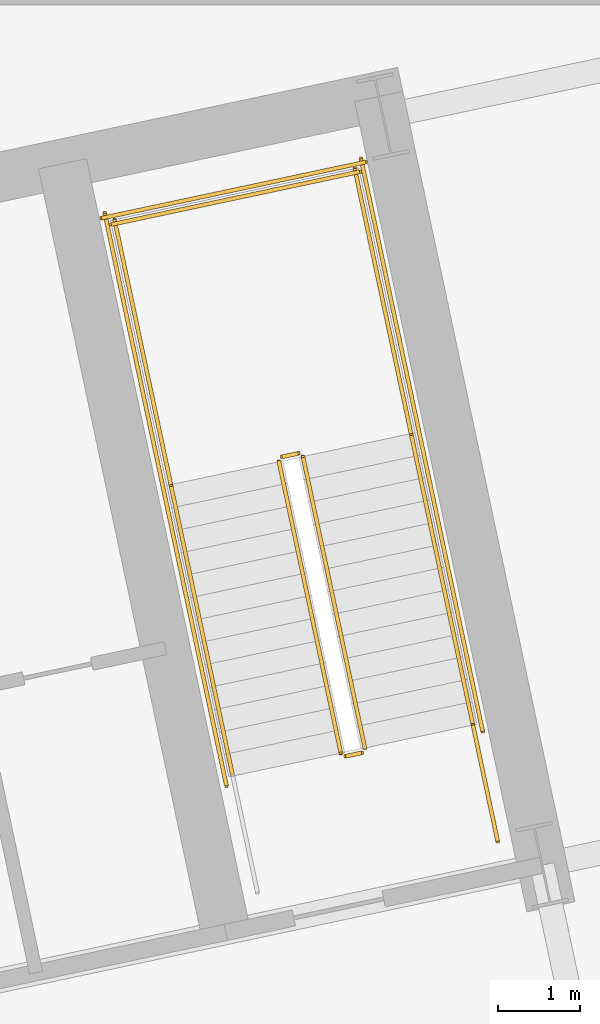
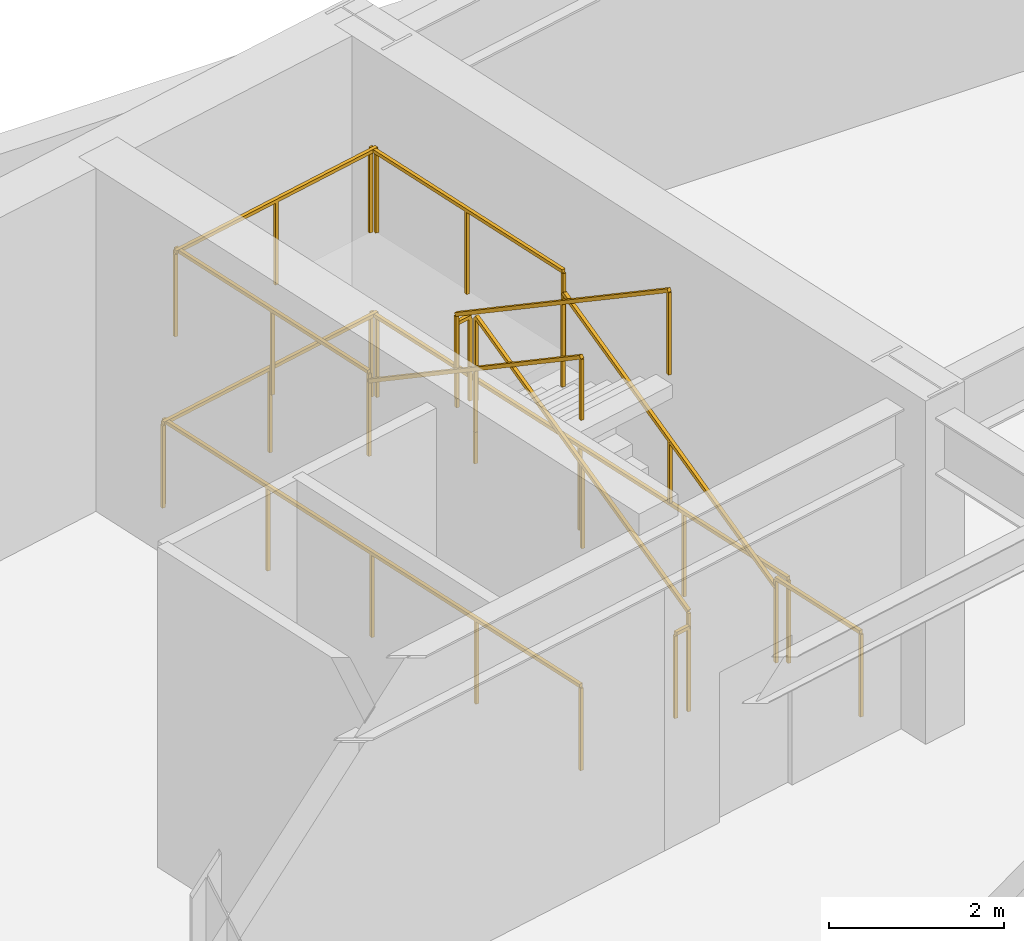
# One storey, part 25 of 25: 13 railings.
"""IFC4 building model written with IfcOpenShell, lengths in metres."""

from ifc_helpers import new_model, si_unit, direction, frame, origin, origin_2d, place, context, subcontext, project, spatial, rectangle, extrude, material, type_object, element, save


model = new_model("IFC4")

# Units and contexts
model_context = context("Model", 3, precision=1e-05, world=origin(), true_north=direction((0.0, 1.0)))
body_context = subcontext(model_context, "Body", "Model", "MODEL_VIEW")
ifc_project = project(units=[si_unit("LENGTHUNIT", "METRE"), si_unit("AREAUNIT", "SQUARE_METRE"), si_unit("VOLUMEUNIT", "CUBIC_METRE"), si_unit("PLANEANGLEUNIT", "RADIAN"), si_unit("MASSUNIT", "GRAM", prefix="KILO")], contexts=[model_context])

# Site, building, storey
site_placement = place(None, origin())
site = spatial("IfcSite", under=ifc_project, at=site_placement, CompositionType="ELEMENT")
building_placement = place(site_placement, origin())
building = spatial("IfcBuilding", under=site, at=building_placement, Name="Haevon Station Towers", CompositionType="ELEMENT")
storey_placement = place(building_placement, frame((0.0, 0.0, 6.0)))
storey = spatial("IfcBuildingStorey", under=building, at=storey_placement, Name="L01", CompositionType="ELEMENT", Elevation=6.0)

# Railings
ifc_material = material(Name="Steel S355", Category="steel")
railing_type_1 = type_object("IfcRailingType", Name="GRD-STR1200", PredefinedType="GUARDRAIL", material=ifc_material)
railing_1_placement = place(storey_placement, frame((117.128662109375, 43.23974609375, 0.17138671875)))
element("IfcRailing", 1, at=railing_1_placement, inside=storey, type_object=railing_type_1, Name="L01 ST4 Stair Guard 1", PredefinedType="GUARDRAIL", context=body_context, shape_type="SweptSolid", body=[
    extrude(rectangle(XDim=0.048095703125, YDim=0.048095703125, at=origin_2d()), frame((0.0, 0.0, 1.17578125), z_axis=(-0.177324344861, 0.834225240467, 0.522134393512), x_axis=(-0.978146576304, -0.207916510322, 0.0)), (0.0, 0.0, 1.0), 4.26806640625),
    extrude(rectangle(XDim=0.0419921875, YDim=0.0419921875, at=origin_2d()), origin(), (0.0, 0.0, 1.0), 1.15185546875),
    extrude(rectangle(XDim=0.0419921875, YDim=0.0419921875, at=origin_2d()), frame((-0.37841796875, 1.7802734375, 1.1142578125)), (0.0, 0.0, 1.0), 1.15185546875),
    extrude(rectangle(XDim=0.0419921875, YDim=0.0419921875, at=origin_2d()), frame((-0.7568359375, 3.560546875, 2.228515625)), (0.0, 0.0, 1.0), 1.15185546875),
])
railing_2_placement = place(storey_placement, frame((116.3125, 46.838623046875, 2.39990234375)))
element("IfcRailing", 2, at=railing_2_placement, inside=storey, type_object=railing_type_1, Name="L01 ST4 Stair Guard 2", PredefinedType="GUARDRAIL", context=body_context, shape_type="SweptSolid", body=[
    extrude(rectangle(XDim=0.048095703125, YDim=0.048095703125, at=origin_2d()), frame((0.0, 0.0, 1.17578125), z_axis=(-0.978211583308, -0.207610448392, 0.0), x_axis=(0.207610448392, -0.978211583308, 0.0)), (0.0, 0.0, 1.0), 0.199951171875),
    extrude(rectangle(XDim=0.0419921875, YDim=0.0419921875, at=origin_2d()), origin(), (0.0, 0.0, 1.0), 1.15185546875),
    extrude(rectangle(XDim=0.0419921875, YDim=0.0419921875, at=origin_2d()), frame((-0.195556640625, -0.04150390625, 0.0)), (0.0, 0.0, 1.0), 1.15185546875),
])
for number, where, name in (
    (3, (117.6923828125, 47.080810546875, 2.39990234375), "L01 ST4 Stair Guard 3"),
    (4, (114.7578125, 46.45703125, 2.39990234375), "L01 ST4 Stair Guard 4"),
):
    element("IfcRailing", number, at=place(storey_placement, frame(where)), inside=storey, type_object=railing_type_1, Name=name, PredefinedType="GUARDRAIL", context=body_context, shape_type="SweptSolid", body=[
        extrude(rectangle(XDim=0.048095703125, YDim=0.048095703125, at=origin_2d()), frame((0.0, 0.0, 1.17578125), z_axis=(-0.207916974835, 0.978146477566, 0.0), x_axis=(-0.978146477566, -0.207916974835, 0.0)), (0.0, 0.0, 1.0), 3.31005859375),
        extrude(rectangle(XDim=0.0419921875, YDim=0.0419921875, at=origin_2d()), origin(), (0.0, 0.0, 1.0), 1.15185546875),
        extrude(rectangle(XDim=0.0419921875, YDim=0.0419921875, at=origin_2d()), frame((-0.34423828125, 1.618896484375, 0.0)), (0.0, 0.0, 1.0), 1.15185546875),
        extrude(rectangle(XDim=0.0419921875, YDim=0.0419921875, at=origin_2d()), frame((-0.688232421875, 3.23779296875, 0.0)), (0.0, 0.0, 1.0), 1.15185546875),
    ])
railing_3_placement = place(storey_placement, frame((117.0634765625, 50.280029296875, 2.39990234375)))
element("IfcRailing", 5, at=railing_3_placement, inside=storey, type_object=railing_type_1, Name="L01 ST4 Stair Guard 5", PredefinedType="GUARDRAIL", context=body_context, shape_type="SweptSolid", body=[
    extrude(rectangle(XDim=0.048095703125, YDim=0.048095703125, at=origin_2d()), frame((0.0, 0.0, 1.17578125), z_axis=(-0.978146839882, -0.207915270313, 0.0), x_axis=(0.207915270313, -0.978146839882, 0.0)), (0.0, 0.0, 1.0), 3.099853515625),
    extrude(rectangle(XDim=0.0419921875, YDim=0.0419921875, at=origin_2d()), origin(), (0.0, 0.0, 1.0), 1.15185546875),
    extrude(rectangle(XDim=0.0419921875, YDim=0.0419921875, at=origin_2d()), frame((-1.51611328125, -0.322265625, 0.0)), (0.0, 0.0, 1.0), 1.15185546875),
    extrude(rectangle(XDim=0.0419921875, YDim=0.0419921875, at=origin_2d()), frame((-3.0322265625, -0.64453125, 0.0)), (0.0, 0.0, 1.0), 1.15185546875),
])
railing_4_placement = place(storey_placement, frame((116.078369140625, 46.73779296875, 2.571533203125)))
element("IfcRailing", 6, at=railing_4_placement, inside=storey, type_object=railing_type_1, Name="L01 ST4 Stair Guard 6", PredefinedType="GUARDRAIL", context=body_context, shape_type="SweptSolid", body=[
    extrude(rectangle(XDim=0.048095703125, YDim=0.048095703125, at=origin_2d()), frame((0.0, 0.0, 1.17578125), z_axis=(0.177324344861, -0.834225240467, 0.522134393512), x_axis=(0.978146576304, 0.207916510322, 0.0)), (0.0, 0.0, 1.0), 4.26806640625),
    extrude(rectangle(XDim=0.0419921875, YDim=0.0419921875, at=origin_2d()), origin(), (0.0, 0.0, 1.0), 1.15185546875),
    extrude(rectangle(XDim=0.0419921875, YDim=0.0419921875, at=origin_2d()), frame((0.37841796875, -1.7802734375, 1.1142578125)), (0.0, 0.0, 1.0), 1.15185546875),
    extrude(rectangle(XDim=0.0419921875, YDim=0.0419921875, at=origin_2d()), frame((0.7568359375, -3.560546875, 2.228515625)), (0.0, 0.0, 1.0), 1.15185546875),
])
railing_5_placement = place(storey_placement, frame((117.090087890625, 43.180419921875, 0.0)))
element("IfcRailing", 7, at=railing_5_placement, inside=storey, type_object=railing_type_1, Name="L01 ST4 Stair Guard 7", PredefinedType="GUARDRAIL", context=body_context, shape_type="SweptSolid", body=[
    extrude(rectangle(XDim=0.048095703125, YDim=0.048095703125, at=origin_2d()), frame((0.0, 0.0, 1.17578125), z_axis=(-0.978211583308, -0.207610448392, 0.0), x_axis=(0.207610448392, -0.978211583308, 0.0)), (0.0, 0.0, 1.0), 0.199951171875),
    extrude(rectangle(XDim=0.0419921875, YDim=0.0419921875, at=origin_2d()), origin(), (0.0, 0.0, 1.0), 1.15185546875),
    extrude(rectangle(XDim=0.0419921875, YDim=0.0419921875, at=origin_2d()), frame((-0.195556640625, -0.04150390625, 0.0)), (0.0, 0.0, 1.0), 1.15185546875),
])
railing_6_placement = place(storey_placement, frame((118.75048828125, 42.10205078125, 0.0)))
element("IfcRailing", 8, at=railing_6_placement, inside=storey, type_object=railing_type_1, Name="L01 ST4 Stair Guard 8", PredefinedType="GUARDRAIL", context=body_context, shape_type="SweptSolid", body=[
    extrude(rectangle(XDim=0.048095703125, YDim=0.048095703125, at=origin_2d()), frame((0.0, 0.0, 1.17578125), z_axis=(-0.207919161079, 0.978146012851, 0.0), x_axis=(-0.978146012851, -0.207919161079, 0.0)), (0.0, 0.0, 1.0), 1.4501953125),
    extrude(rectangle(XDim=0.0419921875, YDim=0.0419921875, at=origin_2d()), origin(), (0.0, 0.0, 1.0), 1.15185546875),
    extrude(rectangle(XDim=0.0419921875, YDim=0.0419921875, at=origin_2d()), frame((-0.301513671875, 1.41845703125, 0.0)), (0.0, 0.0, 1.0), 1.15185546875),
])
railing_7_placement = place(storey_placement, frame((118.567626953125, 43.443359375, 0.0)))
element("IfcRailing", 9, at=railing_7_placement, inside=storey, type_object=railing_type_1, Name="L01 ST4 Stair Guard 10", PredefinedType="GUARDRAIL", context=body_context, shape_type="SweptSolid", body=[
    extrude(rectangle(XDim=0.048095703125, YDim=0.048095703125, at=origin_2d()), frame((0.0, 0.0, 1.17578125), z_axis=(-0.207908168386, 0.978148349443, 0.0), x_axis=(-0.978148349443, -0.207908168386, 0.0)), (0.0, 0.0, 1.0), 7.150146484375),
    extrude(rectangle(XDim=0.0419921875, YDim=0.0419921875, at=origin_2d()), origin(), (0.0, 0.0, 1.0), 1.15185546875),
    extrude(rectangle(XDim=0.0419921875, YDim=0.0419921875, at=origin_2d()), frame((-0.37158203125, 1.74853515625, 0.0)), (0.0, 0.0, 1.0), 1.15185546875),
    extrude(rectangle(XDim=0.0419921875, YDim=0.0419921875, at=origin_2d()), frame((-0.7431640625, 3.4970703125, 0.0)), (0.0, 0.0, 1.0), 1.15185546875),
    extrude(rectangle(XDim=0.0419921875, YDim=0.0419921875, at=origin_2d()), frame((-1.114990234375, 5.245361328125, 0.0)), (0.0, 0.0, 1.0), 1.15185546875),
    extrude(rectangle(XDim=0.0419921875, YDim=0.0419921875, at=origin_2d()), frame((-1.486572265625, 6.993896484375, 0.0)), (0.0, 0.0, 1.0), 1.15185546875),
])
railing_8_placement = place(storey_placement, frame((115.4375, 42.778076171875, 0.0)))
element("IfcRailing", 10, at=railing_8_placement, inside=storey, type_object=railing_type_1, Name="L01 ST4 Stair Guard 11", PredefinedType="GUARDRAIL", context=body_context, shape_type="SweptSolid", body=[
    extrude(rectangle(XDim=0.048095703125, YDim=0.048095703125, at=origin_2d()), frame((0.0, 0.0, 1.17578125), z_axis=(-0.207882442208, 0.978153817261, 0.0), x_axis=(-0.978153817261, -0.207882442208, 0.0)), (0.0, 0.0, 1.0), 7.14990234375),
    extrude(rectangle(XDim=0.0419921875, YDim=0.0419921875, at=origin_2d()), origin(), (0.0, 0.0, 1.0), 1.15185546875),
    extrude(rectangle(XDim=0.0419921875, YDim=0.0419921875, at=origin_2d()), frame((-0.37158203125, 1.74853515625, 0.0)), (0.0, 0.0, 1.0), 1.15185546875),
    extrude(rectangle(XDim=0.0419921875, YDim=0.0419921875, at=origin_2d()), frame((-0.7431640625, 3.496826171875, 0.0)), (0.0, 0.0, 1.0), 1.15185546875),
    extrude(rectangle(XDim=0.0419921875, YDim=0.0419921875, at=origin_2d()), frame((-1.11474609375, 5.2451171875, 0.0)), (0.0, 0.0, 1.0), 1.15185546875),
    extrude(rectangle(XDim=0.0419921875, YDim=0.0419921875, at=origin_2d()), frame((-1.486328125, 6.99365234375, 0.0)), (0.0, 0.0, 1.0), 1.15185546875),
])
railing_9_placement = place(storey_placement, frame((117.140380859375, 50.398681640625, 0.0)))
element("IfcRailing", 11, at=railing_9_placement, inside=storey, type_object=railing_type_1, Name="L01 ST4 Stair Guard 12", PredefinedType="GUARDRAIL", context=body_context, shape_type="SweptSolid", body=[
    extrude(rectangle(XDim=0.048095703125, YDim=0.048095703125, at=origin_2d()), frame((0.0, 0.0, 1.17578125), z_axis=(-0.978135717418, -0.207967589567, 0.0), x_axis=(0.207967589567, -0.978135717418, 0.0)), (0.0, 0.0, 1.0), 3.300048828125),
    extrude(rectangle(XDim=0.0419921875, YDim=0.0419921875, at=origin_2d()), origin(), (0.0, 0.0, 1.0), 1.15185546875),
    extrude(rectangle(XDim=0.0419921875, YDim=0.0419921875, at=origin_2d()), frame((-1.61376953125, -0.34326171875, 0.0)), (0.0, 0.0, 1.0), 1.15185546875),
    extrude(rectangle(XDim=0.0419921875, YDim=0.0419921875, at=origin_2d()), frame((-3.227783203125, -0.686279296875, 0.0)), (0.0, 0.0, 1.0), 1.15185546875),
])
railing_type_2 = type_object("IfcRailingType", Name="HND-STR900", PredefinedType="HANDRAIL", material=ifc_material)
railing_10_placement = place(storey_placement, frame((118.448974609375, 43.5205078125, 0.17138671875)))
element("IfcRailing", 12, at=railing_10_placement, inside=storey, type_object=railing_type_2, Name="L01 ST4 Stair Handrail 1", PredefinedType="HANDRAIL", context=body_context, shape_type="SweptSolid", body=[
    extrude(rectangle(XDim=0.048095703125, YDim=0.048095703125, at=origin_2d()), frame((0.0, 0.0, 0.8759765625), z_axis=(-0.17727740081, 0.834216307201, 0.522164606194), x_axis=(-0.978157316656, -0.207865975747, 0.0)), (0.0, 0.0, 1.0), 4.267822265625),
    extrude(rectangle(XDim=0.0419921875, YDim=0.0419921875, at=origin_2d()), origin(), (0.0, 0.0, 1.0), 0.851806640625),
    extrude(rectangle(XDim=0.0419921875, YDim=0.0419921875, at=origin_2d()), frame((-0.37841796875, 1.7802734375, 1.1142578125)), (0.0, 0.0, 1.0), 0.851806640625),
    extrude(rectangle(XDim=0.0419921875, YDim=0.0419921875, at=origin_2d()), frame((-0.756591796875, 3.560302734375, 2.228515625)), (0.0, 0.0, 1.0), 0.851806640625),
])
railing_11_placement = place(storey_placement, frame((114.7578125, 46.45703125, 2.571533203125)))
element("IfcRailing", 13, at=railing_11_placement, inside=storey, type_object=railing_type_2, Name="L01 ST4 Stair Handrail 2", PredefinedType="HANDRAIL", context=body_context, shape_type="SweptSolid", body=[
    extrude(rectangle(XDim=0.048095703125, YDim=0.048095703125, at=origin_2d()), frame((0.0, 0.0, 0.8759765625), z_axis=(0.17733280689, -0.834207846092, 0.522159310096), x_axis=(0.978143676638, 0.20793015138, 0.0)), (0.0, 0.0, 1.0), 4.267822265625),
    extrude(rectangle(XDim=0.0419921875, YDim=0.0419921875, at=origin_2d()), origin(), (0.0, 0.0, 1.0), 0.851806640625),
    extrude(rectangle(XDim=0.0419921875, YDim=0.0419921875, at=origin_2d()), frame((0.37841796875, -1.7802734375, 1.1142578125)), (0.0, 0.0, 1.0), 0.851806640625),
    extrude(rectangle(XDim=0.0419921875, YDim=0.0419921875, at=origin_2d()), frame((0.7568359375, -3.560302734375, 2.228515625)), (0.0, 0.0, 1.0), 0.851806640625),
])

save(model, "model.ifc")
